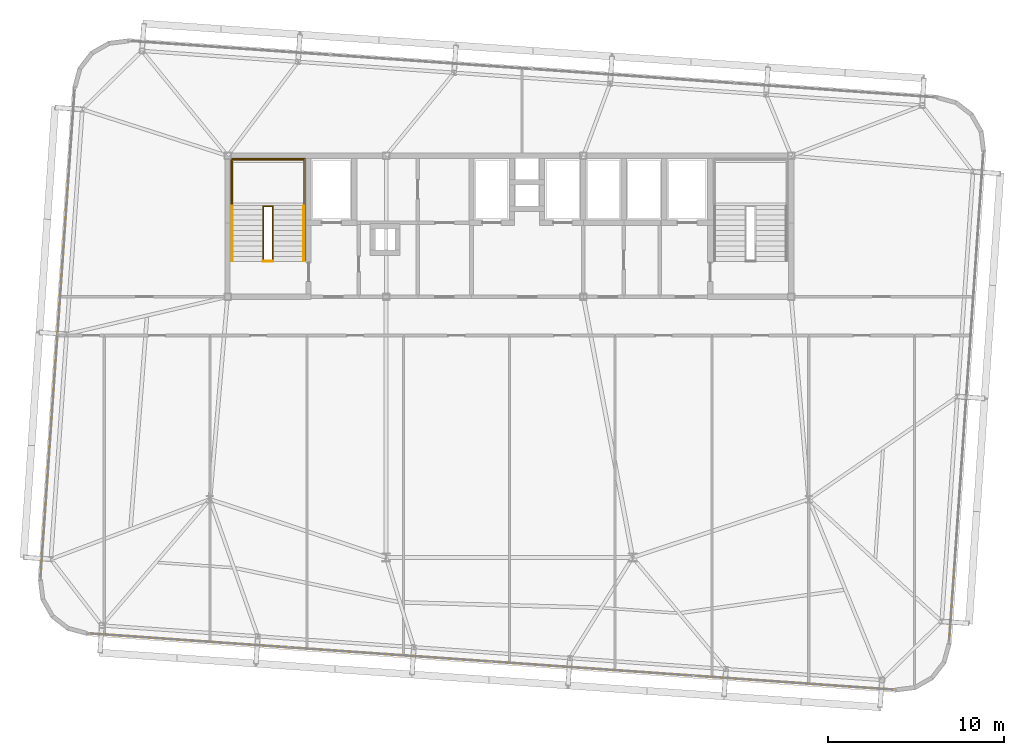
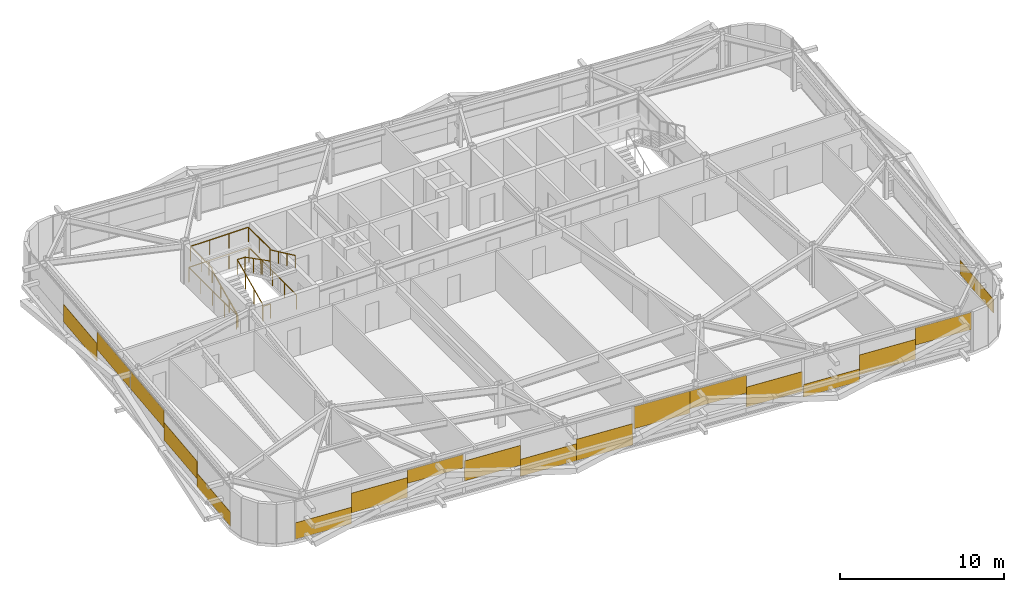
# One storey, part 38 of 39: 18 coverings, 6 railings.
"""IFC4 building model written with IfcOpenShell, lengths in metres."""

from ifc_helpers import new_model, si_unit, direction, frame, origin, origin_2d, place, context, subcontext, project, spatial, rectangle, extrude, source, transform, mapped, material, layer, layer_set, type_object, element, save


model = new_model("IFC4")

# Units and contexts
model_context = context("Model", 3, precision=1e-05, world=origin(), true_north=direction((0.0, 1.0)))
body_context = subcontext(model_context, "Body", "Model", "MODEL_VIEW")
ifc_project = project(units=[si_unit("LENGTHUNIT", "METRE"), si_unit("AREAUNIT", "SQUARE_METRE"), si_unit("VOLUMEUNIT", "CUBIC_METRE"), si_unit("PLANEANGLEUNIT", "RADIAN"), si_unit("MASSUNIT", "GRAM", prefix="KILO")], contexts=[model_context])

# Site, building, storey
site_placement = place(None, origin())
site = spatial("IfcSite", under=ifc_project, at=site_placement, CompositionType="ELEMENT")
building_placement = place(site_placement, origin())
building = spatial("IfcBuilding", under=site, at=building_placement, Name="Taldren Reach Tower", CompositionType="ELEMENT")
storey_placement = place(building_placement, frame((0.0, 0.0, 120.39990234375)))
storey = spatial("IfcBuildingStorey", under=building, at=storey_placement, Name="L36", CompositionType="ELEMENT", Elevation=120.39990234375)

# Railings
ifc_material_1 = material(Name="Steel Gr 350 (C350L0)", Category="steel")
ifc_layer_1 = layer(ifc_material_1, 0.050048828125)
ifc_layer_set_1 = layer_set([ifc_layer_1], Name="Steel Gr 350 (C350L0)")
railing_type_1 = type_object("IfcRailingType", Name="RL-STAIR-GR", PredefinedType="GUARDRAIL", material=ifc_layer_set_1)
railing_1_placement = place(storey_placement, frame((19.260009765625, 29.135009765625, 1.5751953125)))
element("IfcRailing", 1, at=railing_1_placement, inside=storey, type_object=railing_type_1, Name="Stair half-landing perimeter guard ST1-L36", PredefinedType="GUARDRAIL", context=body_context, shape_type="SweptSolid", body=[
    extrude(rectangle(XDim=0.047852, YDim=0.047852, at=origin_2d()), frame((0.0, 0.0, 1.09619140625), z_axis=(0.0, 1.0, 0.0), x_axis=(-1.0, 0.0, 0.0)), (0.0, 0.0, 1.0), 2.64501953125),
    extrude(rectangle(XDim=0.047852, YDim=0.047852, at=origin_2d()), frame((0.0, 2.64501953125, 1.09619140625), z_axis=(1.0, 0.0, 0.0), x_axis=(0.0, 1.0, 0.0)), (0.0, 0.0, 1.0), 4.080078125),
    extrude(rectangle(XDim=0.047852, YDim=0.047852, at=origin_2d()), frame((4.080078125, 2.64501953125, 1.09619140625), z_axis=(0.0, -1.0, 0.0), x_axis=(1.0, 0.0, 0.0)), (0.0, 0.0, 1.0), 2.64501953125),
    extrude(rectangle(XDim=0.041992, YDim=0.041992, at=origin_2d()), origin(), (0.0, 0.0, 1.0), 1.072021484375),
    extrude(rectangle(XDim=0.041992, YDim=0.041992, at=origin_2d()), frame((0.0, 1.322509765625, 0.0)), (0.0, 0.0, 1.0), 1.072021484375),
    extrude(rectangle(XDim=0.041992, YDim=0.041992, at=origin_2d()), frame((0.0, 2.64501953125, 0.0)), (0.0, 0.0, 1.0), 1.072021484375),
    extrude(rectangle(XDim=0.041992, YDim=0.041992, at=origin_2d()), frame((1.360107421875, 2.64501953125, 0.0)), (0.0, 0.0, 1.0), 1.072021484375),
    extrude(rectangle(XDim=0.041992, YDim=0.041992, at=origin_2d()), frame((2.719970703125, 2.64501953125, 0.0)), (0.0, 0.0, 1.0), 1.072021484375),
    extrude(rectangle(XDim=0.041992, YDim=0.041992, at=origin_2d()), frame((4.080078125, 2.64501953125, 0.0)), (0.0, 0.0, 1.0), 1.072021484375),
    extrude(rectangle(XDim=0.041992, YDim=0.041992, at=origin_2d()), frame((4.080078125, 1.322509765625, 0.0)), (0.0, 0.0, 1.0), 1.072021484375),
    extrude(rectangle(XDim=0.041992, YDim=0.041992, at=origin_2d()), frame((4.080078125, 0.0, 0.0)), (0.0, 0.0, 1.0), 1.072021484375),
])
railing_2_placement = place(storey_placement, frame((21.030029296875, 26.050048828125, 0.13134765625)))
element("IfcRailing", 2, at=railing_2_placement, inside=storey, type_object=railing_type_1, Name="Stairwell inner guard ST1-L36", PredefinedType="GUARDRAIL", context=body_context, shape_type="SweptSolid", body=[
    extrude(rectangle(XDim=0.047852, YDim=0.047852, at=origin_2d()), frame((0.0, 0.0, 1.09619140625), z_axis=(0.0, 0.905710134349, 0.423897573167), x_axis=(-1.0, 0.0, 0.0)), (0.0, 0.0, 1.0), 3.406005859375),
    extrude(rectangle(XDim=0.047852, YDim=0.047852, at=origin_2d()), frame((0.0, 3.0849609375, 2.5400390625), z_axis=(1.0, 0.0, 0.0), x_axis=(0.0, 1.0, 0.0)), (0.0, 0.0, 1.0), 0.5400390625),
    extrude(rectangle(XDim=0.047852, YDim=0.047852, at=origin_2d()), frame((0.5400390625, 3.0849609375, 2.5400390625), z_axis=(0.0, -0.890645957773, 0.45469745755), x_axis=(1.0, 0.0, 0.0)), (0.0, 0.0, 1.0), 3.463623046875),
    extrude(rectangle(XDim=0.041992, YDim=0.041992, at=origin_2d()), origin(), (0.0, 0.0, 1.0), 1.072021484375),
    extrude(rectangle(XDim=0.041992, YDim=0.041992, at=origin_2d()), frame((0.0, 1.0283203125, 0.481201171875)), (0.0, 0.0, 1.0), 1.072021484375),
    extrude(rectangle(XDim=0.041992, YDim=0.041992, at=origin_2d()), frame((0.0, 2.056640625, 0.962646484375)), (0.0, 0.0, 1.0), 1.072021484375),
    extrude(rectangle(XDim=0.041992, YDim=0.041992, at=origin_2d()), frame((0.0, 3.0849609375, 1.44384765625)), (0.0, 0.0, 1.0), 1.072021484375),
    extrude(rectangle(XDim=0.041992, YDim=0.041992, at=origin_2d()), frame((0.5400390625, 3.0849609375, 1.44384765625)), (0.0, 0.0, 1.0), 1.072021484375),
    extrude(rectangle(XDim=0.041992, YDim=0.041992, at=origin_2d()), frame((0.5400390625, 2.056640625, 1.96875)), (0.0, 0.0, 1.0), 1.072021484375),
    extrude(rectangle(XDim=0.041992, YDim=0.041992, at=origin_2d()), frame((0.5400390625, 1.0283203125, 2.493896484375)), (0.0, 0.0, 1.0), 1.072021484375),
    extrude(rectangle(XDim=0.041992, YDim=0.041992, at=origin_2d()), frame((0.5400390625, 0.0, 3.018798828125)), (0.0, 0.0, 1.0), 1.072021484375),
])
railing_3_placement = place(storey_placement, frame((21.030029296875, 26.010009765625, 0.0)))
element("IfcRailing", 3, at=railing_3_placement, inside=storey, type_object=railing_type_1, Name="Stairwell landing slot guard ST1-L36", PredefinedType="GUARDRAIL", context=body_context, shape_type="SweptSolid", body=[
    extrude(rectangle(XDim=0.047852, YDim=0.047852, at=origin_2d()), frame((0.0, 0.0, 1.09619140625), z_axis=(1.0, 0.0, 0.0), x_axis=(0.0, 1.0, 0.0)), (0.0, 0.0, 1.0), 0.5400390625),
    extrude(rectangle(XDim=0.041992, YDim=0.041992, at=origin_2d()), origin(), (0.0, 0.0, 1.0), 1.072021484375),
    extrude(rectangle(XDim=0.041992, YDim=0.041992, at=origin_2d()), frame((0.5400390625, 0.0, 0.0)), (0.0, 0.0, 1.0), 1.072021484375),
])
railing_4_placement = place(storey_placement, frame((19.18994140625, 26.050048828125, 0.0)))
element("IfcRailing", 4, at=railing_4_placement, inside=storey, type_object=railing_type_1, Name="Stairwell floor opening guard ST1-L36", PredefinedType="GUARDRAIL", context=body_context, shape_type="SweptSolid", body=[
    extrude(rectangle(XDim=0.047852, YDim=0.047852, at=origin_2d()), frame((0.0, 0.0, 1.09619140625), z_axis=(0.0, 1.0, 0.0), x_axis=(-1.0, 0.0, 0.0)), (0.0, 0.0, 1.0), 5.800048828125),
    extrude(rectangle(XDim=0.047852, YDim=0.047852, at=origin_2d()), frame((0.0, 5.800048828125, 1.09619140625), z_axis=(1.0, 0.0, 0.0), x_axis=(0.0, 1.0, 0.0)), (0.0, 0.0, 1.0), 4.219970703125),
    extrude(rectangle(XDim=0.047852, YDim=0.047852, at=origin_2d()), frame((4.219970703125, 5.800048828125, 1.09619140625), z_axis=(0.0, -1.0, 0.0), x_axis=(1.0, 0.0, 0.0)), (0.0, 0.0, 1.0), 5.800048828125),
    extrude(rectangle(XDim=0.041992, YDim=0.041992, at=origin_2d()), origin(), (0.0, 0.0, 1.0), 1.072021484375),
    extrude(rectangle(XDim=0.041992, YDim=0.041992, at=origin_2d()), frame((0.0, 1.449951171875, 0.0)), (0.0, 0.0, 1.0), 1.072021484375),
    extrude(rectangle(XDim=0.041992, YDim=0.041992, at=origin_2d()), frame((0.0, 2.89990234375, 0.0)), (0.0, 0.0, 1.0), 1.072021484375),
    extrude(rectangle(XDim=0.041992, YDim=0.041992, at=origin_2d()), frame((0.0, 4.35009765625, 0.0)), (0.0, 0.0, 1.0), 1.072021484375),
    extrude(rectangle(XDim=0.041992, YDim=0.041992, at=origin_2d()), frame((0.0, 5.800048828125, 0.0)), (0.0, 0.0, 1.0), 1.072021484375),
    extrude(rectangle(XDim=0.041992, YDim=0.041992, at=origin_2d()), frame((1.40673828125, 5.800048828125, 0.0)), (0.0, 0.0, 1.0), 1.072021484375),
    extrude(rectangle(XDim=0.041992, YDim=0.041992, at=origin_2d()), frame((2.813232421875, 5.800048828125, 0.0)), (0.0, 0.0, 1.0), 1.072021484375),
    extrude(rectangle(XDim=0.041992, YDim=0.041992, at=origin_2d()), frame((4.219970703125, 5.800048828125, 0.0)), (0.0, 0.0, 1.0), 1.072021484375),
    extrude(rectangle(XDim=0.041992, YDim=0.041992, at=origin_2d()), frame((4.219970703125, 4.35009765625, 0.0)), (0.0, 0.0, 1.0), 1.072021484375),
    extrude(rectangle(XDim=0.041992, YDim=0.041992, at=origin_2d()), frame((4.219970703125, 2.89990234375, 0.0)), (0.0, 0.0, 1.0), 1.072021484375),
    extrude(rectangle(XDim=0.041992, YDim=0.041992, at=origin_2d()), frame((4.219970703125, 1.449951171875, 0.0)), (0.0, 0.0, 1.0), 1.072021484375),
    extrude(rectangle(XDim=0.041992, YDim=0.041992, at=origin_2d()), frame((4.219970703125, 0.0, 0.0)), (0.0, 0.0, 1.0), 1.072021484375),
])
ifc_material_2 = material(Name="Stainless Steel Gr 316", Category="steel")
ifc_layer_2 = layer(ifc_material_2, 0.048095703125)
ifc_layer_set_2 = layer_set([ifc_layer_2], Name="Stainless Steel Gr 316")
railing_type_2 = type_object("IfcRailingType", Name="RL-STAIR-HR", PredefinedType="HANDRAIL", material=ifc_layer_set_2)
railing_5_placement = place(storey_placement, frame((19.27001953125, 26.050048828125, 0.13134765625)))
element("IfcRailing", 5, at=railing_5_placement, inside=storey, type_object=railing_type_2, Name="Stair flight handrail ST1-L36-1", PredefinedType="HANDRAIL", context=body_context, shape_type="SweptSolid", body=[
    extrude(rectangle(XDim=0.047852, YDim=0.047852, at=origin_2d()), frame((0.0, 0.0, 0.89599609375), z_axis=(0.0, 0.905710134349, 0.423897573167), x_axis=(-1.0, 0.0, 0.0)), (0.0, 0.0, 1.0), 3.406005859375),
    extrude(rectangle(XDim=0.041992, YDim=0.041992, at=origin_2d()), origin(), (0.0, 0.0, 1.0), 0.871826171875),
    extrude(rectangle(XDim=0.041992, YDim=0.041992, at=origin_2d()), frame((0.0, 1.0283203125, 0.481201171875)), (0.0, 0.0, 1.0), 0.871826171875),
    extrude(rectangle(XDim=0.041992, YDim=0.041992, at=origin_2d()), frame((0.0, 2.056640625, 0.962646484375)), (0.0, 0.0, 1.0), 0.871826171875),
    extrude(rectangle(XDim=0.041992, YDim=0.041992, at=origin_2d()), frame((0.0, 3.0849609375, 1.44384765625)), (0.0, 0.0, 1.0), 0.871826171875),
])
railing_6_placement = place(storey_placement, frame((23.330078125, 29.135009765625, 1.706298828125)))
element("IfcRailing", 6, at=railing_6_placement, inside=storey, type_object=railing_type_2, Name="Stair flight handrail ST1-L36-2", PredefinedType="HANDRAIL", context=body_context, shape_type="SweptSolid", body=[
    extrude(rectangle(XDim=0.047852, YDim=0.047852, at=origin_2d()), frame((0.0, 0.0, 0.89599609375), z_axis=(0.0, -0.905710134349, 0.423897573167), x_axis=(1.0, 0.0, 0.0)), (0.0, 0.0, 1.0), 3.406005859375),
    extrude(rectangle(XDim=0.041992, YDim=0.041992, at=origin_2d()), origin(), (0.0, 0.0, 1.0), 0.871826171875),
    extrude(rectangle(XDim=0.041992, YDim=0.041992, at=origin_2d()), frame((0.0, -1.0283203125, 0.481201171875)), (0.0, 0.0, 1.0), 0.871826171875),
    extrude(rectangle(XDim=0.041992, YDim=0.041992, at=origin_2d()), frame((0.0, -2.056640625, 0.962646484375)), (0.0, 0.0, 1.0), 0.871826171875),
    extrude(rectangle(XDim=0.041992, YDim=0.041992, at=origin_2d()), frame((0.0, -3.0849609375, 1.44384765625)), (0.0, 0.0, 1.0), 0.871826171875),
])

# Coverings
ifc_material_3 = material(Name="Pale Champagne Fluoropolymer Aluminium Spandrel Cladding", Category="aluminium")
ifc_layer_3 = layer(ifc_material_3, 0.0439453125)
ifc_layer_set_3 = layer_set([ifc_layer_3], Name="Pale Champagne Fluoropolymer Aluminium Spandrel Cladding")
covering_type = type_object("IfcCoveringType", Name="CV-CLAD-044", PredefinedType="CLADDING", material=ifc_layer_set_3)
shared_shape_1 = source(origin(), body_context, "Body", "SweptSolid", [
    extrude(rectangle(XDim=3.79833984375, YDim=0.0439453125, at=origin_2d()), origin(), (0.0, 0.0, 1.0), 1.22216796875),
])
covering_1_placement = place(storey_placement, frame((12.994384765625, 4.748046875, 0.05517578125), z_axis=(0.0, 0.0, 1.0), x_axis=(0.99756404731, -0.06975651593, 0.0)))
element("IfcCovering", 7, at=covering_1_placement, inside=storey, type_object=covering_type, Name="Diagrid closure cladding strip CW-4 panel 1.1 1", PredefinedType="CLADDING", context=body_context, shape_type="MappedRepresentation", body=[
    mapped(shared_shape_1, transform((0.0, 0.0, 0.0), scale=1.0)),
])
shared_shape_2 = source(origin(), body_context, "Body", "SweptSolid", [
    extrude(rectangle(XDim=3.79833984375, YDim=0.0439453125, at=origin_2d()), origin(), (0.0, 0.0, 1.0), 1.474365234375),
])
for number, where, z_axis, x_axis, name in (
    (8, (16.783447265625, 4.483154296875, 0.84228515625), (0.0, 0.0, 1.0), (0.99756404731, -0.06975651593, 0.0), "Diagrid closure cladding strip CW-4 panel 1.1 2"),
    (9, (51.16455078125, 2.0791015625, 0.5537109375), (0.0, 0.0, 1.0), (0.99756404731, -0.06975651593, 0.0), "Diagrid closure cladding strip CW-4 panel 4.1 2"),
):
    element("IfcCovering", number, at=place(storey_placement, frame(where, z_axis=z_axis, x_axis=x_axis)), inside=storey, type_object=covering_type, Name=name, PredefinedType="CLADDING", context=body_context, shape_type="MappedRepresentation", body=[
        mapped(shared_shape_2, transform((0.0, 0.0, 0.0), scale=1.0)),
    ])
shared_shape_3 = source(origin(), body_context, "Body", "SweptSolid", [
    extrude(rectangle(XDim=3.79833984375, YDim=0.0439453125, at=origin_2d()), origin(), (0.0, 0.0, 1.0), 0.993408203125),
])
covering_2_placement = place(storey_placement, frame((20.572509765625, 4.21826171875, 1.8818359375), z_axis=(0.0, 0.0, 1.0), x_axis=(0.99756404731, -0.06975651593, 0.0)))
element("IfcCovering", 10, at=covering_2_placement, inside=storey, type_object=covering_type, Name="Diagrid closure cladding strip CW-4 panel 1.1 3", PredefinedType="CLADDING", context=body_context, shape_type="MappedRepresentation", body=[
    mapped(shared_shape_3, transform((0.0, 0.0, 0.0), scale=1.0)),
])
shared_shape_4 = source(origin(), body_context, "Body", "SweptSolid", [
    extrude(rectangle(XDim=3.81005859375, YDim=0.0439453125, at=origin_2d()), origin(), (0.0, 0.0, 1.0), 1.477783203125),
])
for number, where, z_axis, x_axis, name in (
    (11, (24.437255859375, 3.947998046875, 0.88232421875), (0.0, 0.0, 1.0), (0.99756404731, -0.06975651593, 0.0), "Diagrid closure cladding strip CW-4 panel 2.1 1"),
    (12, (43.510498046875, 2.6142578125, 0.51025390625), (0.0, 0.0, 1.0), (0.99756404731, -0.06975651593, 0.0), "Diagrid closure cladding strip CW-4 panel 3.1 3"),
):
    element("IfcCovering", number, at=place(storey_placement, frame(where, z_axis=z_axis, x_axis=x_axis)), inside=storey, type_object=covering_type, Name=name, PredefinedType="CLADDING", context=body_context, shape_type="MappedRepresentation", body=[
        mapped(shared_shape_4, transform((0.0, 0.0, 0.0), scale=1.0)),
    ])
shared_shape_5 = source(origin(), body_context, "Body", "SweptSolid", [
    extrude(rectangle(XDim=3.81005859375, YDim=0.0439453125, at=origin_2d()), origin(), (0.0, 0.0, 1.0), 1.26220703125),
])
covering_3_placement = place(storey_placement, frame((28.23779296875, 3.68212890625, 0.05517578125), z_axis=(0.0, 0.0, 1.0), x_axis=(0.99756404731, -0.06975651593, 0.0)))
element("IfcCovering", 13, at=covering_3_placement, inside=storey, type_object=covering_type, Name="Diagrid closure cladding strip CW-4 panel 2.1 2", PredefinedType="CLADDING", context=body_context, shape_type="MappedRepresentation", body=[
    mapped(shared_shape_5, transform((0.0, 0.0, 0.0), scale=1.0)),
])
shared_shape_6 = source(origin(), body_context, "Body", "SweptSolid", [
    extrude(rectangle(XDim=3.81005859375, YDim=0.0439453125, at=origin_2d()), origin(), (0.0, 0.0, 1.0), 1.587890625),
])
covering_4_placement = place(storey_placement, frame((32.03857421875, 3.41650390625, 0.05517578125), z_axis=(0.0, 0.0, 1.0), x_axis=(0.99756404731, -0.06975651593, 0.0)))
element("IfcCovering", 14, at=covering_4_placement, inside=storey, type_object=covering_type, Name="Diagrid closure cladding strip CW-4 panel 2.1 3", PredefinedType="CLADDING", context=body_context, shape_type="MappedRepresentation", body=[
    mapped(shared_shape_6, transform((0.0, 0.0, 0.0), scale=1.0)),
])
shared_shape_7 = source(origin(), body_context, "Body", "SweptSolid", [
    extrude(rectangle(XDim=3.81005859375, YDim=0.0439453125, at=origin_2d()), origin(), (0.0, 0.0, 1.0), 1.64794921875),
])
covering_5_placement = place(storey_placement, frame((35.9091796875, 3.145751953125, 1.22705078125), z_axis=(0.0, 0.0, 1.0), x_axis=(0.99756404731, -0.06975651593, 0.0)))
element("IfcCovering", 15, at=covering_5_placement, inside=storey, type_object=covering_type, Name="Diagrid closure cladding strip CW-4 panel 3.1 1", PredefinedType="CLADDING", context=body_context, shape_type="MappedRepresentation", body=[
    mapped(shared_shape_7, transform((0.0, 0.0, 0.0), scale=1.0)),
])
shared_shape_8 = source(origin(), body_context, "Body", "SweptSolid", [
    extrude(rectangle(XDim=3.81005859375, YDim=0.0439453125, at=origin_2d()), origin(), (0.0, 0.0, 1.0), 1.322265625),
])
covering_6_placement = place(storey_placement, frame((39.7099609375, 2.8798828125, 1.552734375), z_axis=(0.0, 0.0, 1.0), x_axis=(0.99756404731, -0.06975651593, 0.0)))
element("IfcCovering", 16, at=covering_6_placement, inside=storey, type_object=covering_type, Name="Diagrid closure cladding strip CW-4 panel 3.1 2", PredefinedType="CLADDING", context=body_context, shape_type="MappedRepresentation", body=[
    mapped(shared_shape_8, transform((0.0, 0.0, 0.0), scale=1.0)),
])
shared_shape_9 = source(origin(), body_context, "Body", "SweptSolid", [
    extrude(rectangle(XDim=3.79833984375, YDim=0.0439453125, at=origin_2d()), origin(), (0.0, 0.0, 1.0), 0.93359375),
])
covering_7_placement = place(storey_placement, frame((47.375244140625, 2.343994140625, 0.054931640625), z_axis=(0.0, 0.0, 1.0), x_axis=(0.99756404731, -0.06975651593, 0.0)))
element("IfcCovering", 17, at=covering_7_placement, inside=storey, type_object=covering_type, Name="Diagrid closure cladding strip CW-4 panel 4.1 1", PredefinedType="CLADDING", context=body_context, shape_type="MappedRepresentation", body=[
    mapped(shared_shape_9, transform((0.0, 0.0, 0.0), scale=1.0)),
])
shared_shape_10 = source(origin(), body_context, "Body", "SweptSolid", [
    extrude(rectangle(XDim=3.79833984375, YDim=0.0439453125, at=origin_2d()), origin(), (0.0, 0.0, 1.0), 1.2822265625),
])
covering_8_placement = place(storey_placement, frame((54.95361328125, 1.81396484375, 1.5927734375), z_axis=(0.0, 0.0, 1.0), x_axis=(0.99756404731, -0.06975651593, 0.0)))
element("IfcCovering", 18, at=covering_8_placement, inside=storey, type_object=covering_type, Name="Diagrid closure cladding strip CW-4 panel 4.1 3", PredefinedType="CLADDING", context=body_context, shape_type="MappedRepresentation", body=[
    mapped(shared_shape_10, transform((0.0, 0.0, 0.0), scale=1.0)),
])
shared_shape_11 = source(origin(), body_context, "Body", "SweptSolid", [
    extrude(rectangle(XDim=4.631591796875, YDim=0.0439453125, at=origin_2d()), origin(), (0.0, 0.0, 1.0), 1.04345703125),
])
for number, where, z_axis, x_axis, name in (
    (19, (8.542724609375, 10.318115234375, 0.05517578125), (0.0, 0.0, 1.0), (-0.069756437251, -0.997564052812, 0.0), "Diagrid closure cladding strip CW-4 panel 2.1 3"),
    (20, (60.136962890625, 6.710205078125, 0.05517578125), (0.0, 0.0, 1.0), (0.069756437251, 0.997564052812, 0.0), "Diagrid closure cladding strip CW-4 panel 1.1 1"),
):
    element("IfcCovering", number, at=place(storey_placement, frame(where, z_axis=z_axis, x_axis=x_axis)), inside=storey, type_object=covering_type, Name=name, PredefinedType="CLADDING", context=body_context, shape_type="MappedRepresentation", body=[
        mapped(shared_shape_11, transform((0.0, 0.0, 0.0), scale=1.0)),
    ])
shared_shape_12 = source(origin(), body_context, "Body", "SweptSolid", [
    extrude(rectangle(XDim=4.631591796875, YDim=0.0439453125, at=origin_2d()), origin(), (0.0, 0.0, 1.0), 1.306640625),
])
for number, where, z_axis, x_axis, name in (
    (21, (9.840087890625, 28.869384765625, 0.671142578125), (0.0, 0.0, 1.0), (-0.069756437251, -0.997564052812, 0.0), "Diagrid closure cladding strip CW-4 panel 1.1 2"),
    (22, (8.865966796875, 14.9384765625, 0.671142578125), (0.0, 0.0, 1.0), (-0.069756437251, -0.997564052812, 0.0), "Diagrid closure cladding strip CW-4 panel 2.1 2"),
):
    element("IfcCovering", number, at=place(storey_placement, frame(where, z_axis=z_axis, x_axis=x_axis)), inside=storey, type_object=covering_type, Name=name, PredefinedType="CLADDING", context=body_context, shape_type="MappedRepresentation", body=[
        mapped(shared_shape_12, transform((0.0, 0.0, 0.0), scale=1.0)),
    ])
shared_shape_13 = source(origin(), body_context, "Body", "SweptSolid", [
    extrude(rectangle(XDim=4.631591796875, YDim=0.0439453125, at=origin_2d()), origin(), (0.0, 0.0, 1.0), 1.32470703125),
])
for number, where, z_axis, x_axis, name in (
    (23, (9.51708984375, 24.2490234375, 1.550537109375), (0.0, 0.0, 1.0), (-0.069756437251, -0.997564052812, 0.0), "Diagrid closure cladding strip CW-4 panel 1.1 3"),
    (24, (9.18896484375, 19.558837890625, 1.550537109375), (0.0, 0.0, 1.0), (-0.069756437251, -0.997564052812, 0.0), "Diagrid closure cladding strip CW-4 panel 2.1 1"),
):
    element("IfcCovering", number, at=place(storey_placement, frame(where, z_axis=z_axis, x_axis=x_axis)), inside=storey, type_object=covering_type, Name=name, PredefinedType="CLADDING", context=body_context, shape_type="MappedRepresentation", body=[
        mapped(shared_shape_13, transform((0.0, 0.0, 0.0), scale=1.0)),
    ])

save(model, "model.ifc")
